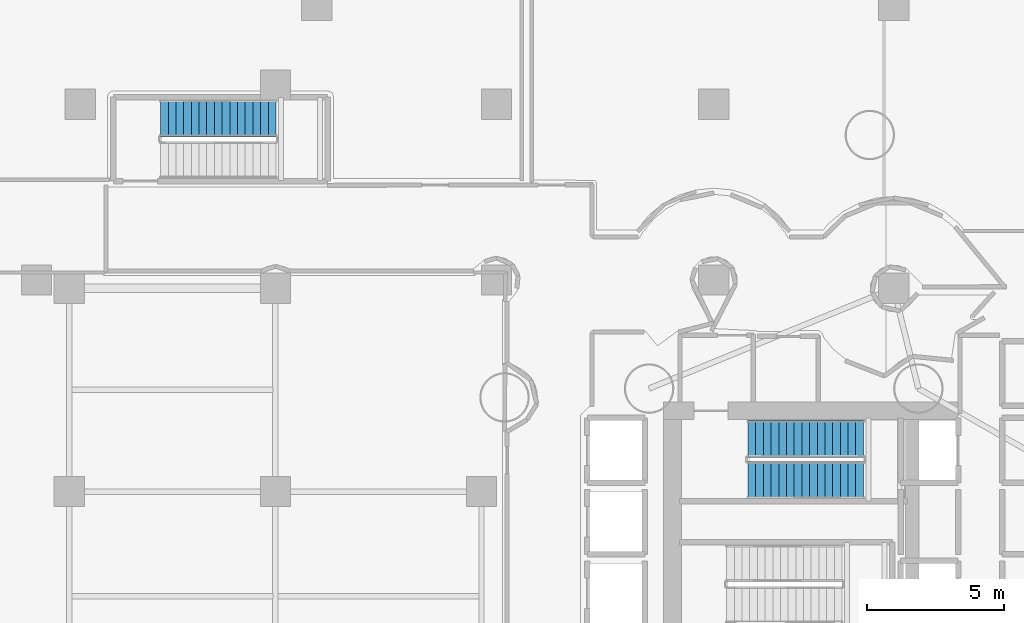
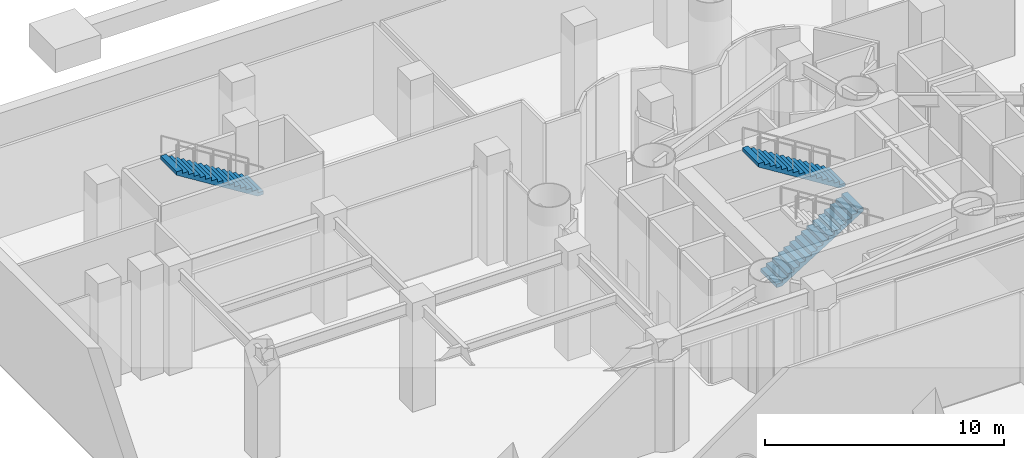
# One storey, part 7 of 11: 3 stair flights, 2 elements without a shape of their own.
"""IFC4 building model written with IfcOpenShell, lengths in metres."""

import ifcopenshell
import ifcopenshell.guid

model = None  # the IFC model being written
_history = None  # IfcOwnerHistory: only IFC2X3 demands one
_inside = {}  # id of a spatial element -> (the spatial element, [elements in it])
_under = {}  # id of a project, library or spatial element -> (it, [spatial elements below it])
_declared = {}  # id of a project -> (the project, [libraries it declares])
_typed = {}  # id of a type object -> (the type object, [elements of that type])
_made_of = {}  # id of a material, layer set ... -> (it, [elements and type objects made of it])


def new_model(schema):
    """Start an empty IFC model of exactly this schema.

    Asked for "IFC4X3", IfcOpenShell would pick the latest addendum, in which some entities
    have other attributes; the version numbers below select the first issue.
    IFC2X3 requires an IfcOwnerHistory on every rooted entity: one is made here for all.
    """
    global model, _history
    if schema == "IFC4X3":
        model = ifcopenshell.file(schema_version=(4, 3, 0, 0))
    else:
        model = ifcopenshell.file(schema=schema)
    _inside.clear()
    _under.clear()
    _declared.clear()
    _typed.clear()
    _made_of.clear()
    _history = None
    if model.schema == "IFC2X3":
        org = make("IfcOrganization", Name="unknown")
        user = make(
            "IfcPersonAndOrganization",
            ThePerson=make("IfcPerson", FamilyName="unknown"),
            TheOrganization=org,
        )
        app = make(
            "IfcApplication",
            ApplicationDeveloper=org,
            Version="unknown",
            ApplicationFullName="unknown",
            ApplicationIdentifier="unknown",
        )
        _history = make(
            "IfcOwnerHistory",
            OwningUser=user,
            OwningApplication=app,
            ChangeAction="ADDED",
            CreationDate=0,
        )
    return model


def make(cls, **values):
    """One entity of the class cls with the attributes given. An attribute that is None is left unset."""
    return model.create_entity(
        cls, **{name: value for name, value in values.items() if value is not None}
    )


def rooted(cls, **values):
    """An entity with a GlobalId (a new one), such as an element, a storey or a relation."""
    return make(cls, GlobalId=ifcopenshell.guid.new(), OwnerHistory=_history, **values)


def si_unit(unit_type, name, prefix=None):
    """IfcSIUnit, for example si_unit("LENGTHUNIT", "METRE", prefix="MILLI")."""
    return make("IfcSIUnit", UnitType=unit_type, Prefix=prefix, Name=name)


def assignment(units):
    """IfcUnitAssignment: the units of a project."""
    return None if units is None else make("IfcUnitAssignment", Units=units)


def point(xyz):
    """IfcCartesianPoint."""
    return None if xyz is None else make("IfcCartesianPoint", Coordinates=xyz)


def direction(xyz):
    """IfcDirection."""
    return None if xyz is None else make("IfcDirection", DirectionRatios=xyz)


def frame(location, z_axis=None, x_axis=None):
    """IfcAxis2Placement3D, a coordinate frame: its origin and axes. An axis left out is left unset."""
    return make(
        "IfcAxis2Placement3D",
        Location=point(location),
        Axis=direction(z_axis),
        RefDirection=direction(x_axis),
    )


def origin():
    """The frame at (0, 0, 0) with its axes left unset."""
    return frame((0.0, 0.0, 0.0))


def place(relative_to, where):
    """IfcLocalPlacement: puts the frame where relative to a parent placement (None: the world)."""
    return make(
        "IfcLocalPlacement", PlacementRelTo=relative_to, RelativePlacement=where
    )


def context(
    kind, dimensions, precision=None, world=None, true_north=None, identifier=None
):
    """IfcGeometricRepresentationContext, for example the 3D "Model" context."""
    return make(
        "IfcGeometricRepresentationContext",
        ContextIdentifier=identifier,
        ContextType=kind,
        CoordinateSpaceDimension=dimensions,
        Precision=precision,
        WorldCoordinateSystem=world,
        TrueNorth=true_north,
    )


def subcontext(parent, identifier, kind, view, scale=None):
    """IfcGeometricRepresentationSubContext, for example "Body" below "Model"."""
    return make(
        "IfcGeometricRepresentationSubContext",
        ContextIdentifier=identifier,
        ContextType=kind,
        ParentContext=parent,
        TargetScale=scale,
        TargetView=view,
    )


def project(units=None, contexts=None):
    """IfcProject with its units and contexts."""
    return rooted(
        "IfcProject",
        Name="project",
        RepresentationContexts=contexts,
        UnitsInContext=assignment(units),
    )


def spatial(cls, under=None, at=None, **own):
    """A site, building, storey or space (cls), placed at a placement, below another one or the project."""
    s = rooted(cls, ObjectPlacement=at, **own)
    if under is not None:
        _under.setdefault(under.id(), (under, []))[1].append(s)
    return s


def polyline(points):
    """IfcPolyline through the points."""
    return make("IfcPolyline", Points=[point(p) for p in points])


def outline(outer, holes=None, kind="AREA"):
    """IfcArbitraryClosedProfileDef: a profile drawn as a closed curve; with holes, ...WithVoids."""
    if holes is None:
        return make("IfcArbitraryClosedProfileDef", ProfileType=kind, OuterCurve=outer)
    return make(
        "IfcArbitraryProfileDefWithVoids",
        ProfileType=kind,
        OuterCurve=outer,
        InnerCurves=holes,
    )


def extrude(swept, where, along, depth):
    """IfcExtrudedAreaSolid: the profile swept, set in the frame where, extruded along a direction by depth."""
    return make(
        "IfcExtrudedAreaSolid",
        SweptArea=swept,
        Position=where,
        ExtrudedDirection=direction(along),
        Depth=depth,
    )


def shape(context_of_items, identifier, shape_type, items):
    """IfcShapeRepresentation: the items that make up one representation, for example the "Body"."""
    return make(
        "IfcShapeRepresentation",
        ContextOfItems=context_of_items,
        RepresentationIdentifier=identifier,
        RepresentationType=shape_type,
        Items=items,
    )


def material(Name=None, Category=None):
    """IfcMaterial."""
    return make("IfcMaterial", Name=Name, Category=Category)


def made_of(thing, what):
    """Note that an element or type object is made of a material, layer set ...; save() writes the relation."""
    if what is not None:
        _made_of.setdefault(what.id(), (what, []))[1].append(thing)
    return thing


def type_object(cls, material=None, **own):
    """A type object (cls), such as IfcWallType, which elements share."""
    return made_of(rooted(cls, **own), material)


def element(
    cls,
    number,
    at=None,
    inside=None,
    cuts=None,
    type_object=None,
    material=None,
    context=None,
    identifier="Body",
    shape_type=None,
    held_by="IfcProductDefinitionShape",
    body=None,
    shapes=None,
    **own,
):
    """One element of the class cls, such as IfcWall. Its Tag is "e" and its number.

    at: its placement. inside: the storey or other place that contains it. cuts: it is an
    opening in that element (IfcRelVoidsElement). A single representation is given by context,
    identifier, shape_type and body (its items); several are given by shapes. held_by: the class
    of the entity that holds the representations. save() writes the other relations.
    """
    e = rooted(cls, Tag="e%d" % number, ObjectPlacement=at, **own)
    if body is not None:
        shapes = [shape(context, identifier, shape_type, body)]
    if shapes is not None:
        e.Representation = make(held_by, Representations=shapes)
    if inside is not None:
        _inside.setdefault(inside.id(), (inside, []))[1].append(e)
    if cuts is not None:
        rooted(
            "IfcRelVoidsElement", RelatingBuildingElement=cuts, RelatedOpeningElement=e
        )
    if type_object is not None:
        _typed.setdefault(type_object.id(), (type_object, []))[1].append(e)
    return made_of(e, material)


def aggregate(whole, parts):
    """IfcRelAggregates: a whole, such as a stair, and the parts it consists of."""
    return rooted("IfcRelAggregates", RelatingObject=whole, RelatedObjects=parts)


def save(model, path):
    """Write the relations noted so far, then the file.

    IfcRelAggregates (storeys below a building ...), IfcRelContainedInSpatialStructure (elements
    in a storey), IfcRelDefinesByType, IfcRelAssociatesMaterial and IfcRelDeclares: one each for
    every whole, place, type object, material and project.
    """
    for whole, parts in _under.values():
        aggregate(whole, parts)
    for where, things in _inside.values():
        rooted(
            "IfcRelContainedInSpatialStructure",
            RelatedElements=things,
            RelatingStructure=where,
        )
    for kind, things in _typed.values():
        rooted("IfcRelDefinesByType", RelatedObjects=things, RelatingType=kind)
    for what, things in _made_of.values():
        rooted("IfcRelAssociatesMaterial", RelatedObjects=things, RelatingMaterial=what)
    for by, libraries in _declared.values():
        rooted("IfcRelDeclares", RelatingContext=by, RelatedDefinitions=libraries)
    model.write(path)


model = new_model("IFC4")

# Units and contexts
model_context = context("Model", 3, precision=1e-05, world=origin(), true_north=direction((0.0, 1.0)))
body_context = subcontext(model_context, "Body", "Model", "MODEL_VIEW")
ifc_project = project(units=[si_unit("LENGTHUNIT", "METRE"), si_unit("AREAUNIT", "SQUARE_METRE"), si_unit("VOLUMEUNIT", "CUBIC_METRE"), si_unit("PLANEANGLEUNIT", "RADIAN"), si_unit("MASSUNIT", "GRAM", prefix="KILO")], contexts=[model_context])

# Site, building, storey
site_placement = place(None, origin())
site = spatial("IfcSite", under=ifc_project, at=site_placement, CompositionType="ELEMENT")
building_placement = place(site_placement, origin())
building = spatial("IfcBuilding", under=site, at=building_placement, Name="Qianvela Tower", CompositionType="ELEMENT")
storey_placement = place(building_placement, frame((0.0, 0.0, -5.60009765625)))
storey = spatial("IfcBuildingStorey", under=building, at=storey_placement, Name="B01", CompositionType="ELEMENT", Elevation=-5.60009765625)

# Stair, stair flights
ifc_material_1 = material(Name="Concrete C40", Category="concrete")
stair_type = type_object("IfcStairType", Name="ST-DOGLEG-1350-R175-N32", PredefinedType="HALF_TURN_STAIR", material=ifc_material_1)
stair_1_placement = place(storey_placement, origin())
stair_1 = element("IfcStair", 1, at=stair_1_placement, inside=storey, type_object=stair_type, Name="B01 Smoke-Proof Core Stair ST-1", PredefinedType="HALF_TURN_STAIR")
ifc_material_2 = material(Name="Concrete C40", Category="concrete")
stair_flight_type = type_object("IfcStairFlightType", Name="STF-STRAIGHT-R175-P16", PredefinedType="STRAIGHT", material=ifc_material_2)
stair_flight_1_placement = place(storey_placement, frame((32.199951171875, 30.215087890625, 0.0), z_axis=(0.0, 0.0, 1.0), x_axis=(1.0, 0.0, 0.0)))
stair_flight_1 = element("IfcStairFlight", 2, at=stair_flight_1_placement, type_object=stair_flight_type, Name="ST-1 flight 1", NumberOfRisers=16, NumberOfTreads=15, PredefinedType="STRAIGHT", RiserHeight=0.175, TreadLength=0.28, context=body_context, shape_type="SweptSolid", body=[
    extrude(outline(polyline([(0.0, 0.0), (0.0, 0.175048828125), (0.280029296875, 0.175048828125), (0.280029296875, 0.35009765625), (0.56005859375, 0.35009765625), (0.56005859375, 0.52490234375), (0.840087890625, 0.52490234375), (0.840087890625, 0.699951171875), (1.1201171875, 0.699951171875), (1.1201171875, 0.875), (1.39990234375, 0.875), (1.39990234375, 1.050048828125), (1.679931640625, 1.050048828125), (1.679931640625, 1.22509765625), (1.9599609375, 1.22509765625), (1.9599609375, 1.39990234375), (2.239990234375, 1.39990234375), (2.239990234375, 1.574951171875), (2.52001953125, 1.574951171875), (2.52001953125, 1.75), (2.800048828125, 1.75), (2.800048828125, 1.925048828125), (3.080078125, 1.925048828125), (3.080078125, 2.10009765625), (3.360107421875, 2.10009765625), (3.360107421875, 2.27490234375), (3.639892578125, 2.27490234375), (3.639892578125, 2.449951171875), (3.919921875, 2.449951171875), (3.919921875, 2.625), (4.199951171875, 2.625), (4.199951171875, 2.800048828125), (4.199951171875, 2.4482421875), (0.28271484375, 0.0), (0.0, 0.0)])), frame((0.0, 0.675048828125, 0.0), z_axis=(0.0, -1.0, 0.0), x_axis=(1.0, 0.0, 0.0)), (0.0, 0.0, 1.0), 1.35009765625),
])
stair_flight_2_placement = place(storey_placement, frame((36.39990234375, 31.72509765625, 2.800048828125), z_axis=(0.0, 0.0, 1.0), x_axis=(-1.0, 0.0, 0.0)))
stair_flight_2 = element("IfcStairFlight", 3, at=stair_flight_2_placement, type_object=stair_flight_type, Name="ST-1 flight 2", NumberOfRisers=16, NumberOfTreads=15, PredefinedType="STRAIGHT", RiserHeight=0.175, TreadLength=0.28, context=body_context, shape_type="SweptSolid", body=[
    extrude(outline(polyline([(0.0, 0.0), (0.0, 0.175048828125), (0.280029296875, 0.175048828125), (0.280029296875, 0.35009765625), (0.56005859375, 0.35009765625), (0.56005859375, 0.52490234375), (0.840087890625, 0.52490234375), (0.840087890625, 0.699951171875), (1.1201171875, 0.699951171875), (1.1201171875, 0.875), (1.39990234375, 0.875), (1.39990234375, 1.050048828125), (1.679931640625, 1.050048828125), (1.679931640625, 1.22509765625), (1.9599609375, 1.22509765625), (1.9599609375, 1.39990234375), (2.239990234375, 1.39990234375), (2.239990234375, 1.574951171875), (2.52001953125, 1.574951171875), (2.52001953125, 1.75), (2.800048828125, 1.75), (2.800048828125, 1.925048828125), (3.080078125, 1.925048828125), (3.080078125, 2.10009765625), (3.360107421875, 2.10009765625), (3.360107421875, 2.27490234375), (3.639892578125, 2.27490234375), (3.639892578125, 2.449951171875), (3.919921875, 2.449951171875), (3.919921875, 2.625), (4.199951171875, 2.625), (4.199951171875, 2.800048828125), (4.199951171875, 2.4482421875), (0.28271484375, 0.0), (0.0, 0.0)])), frame((0.0, 0.675048828125, 0.0), z_axis=(0.0, -1.0, 0.0), x_axis=(1.0, 0.0, 0.0)), (0.0, 0.0, 1.0), 1.35009765625),
])
aggregate(stair_1, [stair_flight_1, stair_flight_2])

# Stair, stair flight
stair_2_placement = place(storey_placement, origin())
stair_2 = element("IfcStair", 4, at=stair_2_placement, inside=storey, type_object=stair_type, Name="B01 Smoke-Proof Core Stair ST-3", PredefinedType="HALF_TURN_STAIR")
stair_flight_3_placement = place(storey_placement, frame((15.02001953125, 43.385009765625, 2.800048828125), z_axis=(0.0, 0.0, 1.0), x_axis=(-1.0, 0.0, 0.0)))
stair_flight_3 = element("IfcStairFlight", 5, at=stair_flight_3_placement, type_object=stair_flight_type, Name="ST-3 flight 2", NumberOfRisers=16, NumberOfTreads=15, PredefinedType="STRAIGHT", RiserHeight=0.175, TreadLength=0.28, context=body_context, shape_type="SweptSolid", body=[
    extrude(outline(polyline([(0.0, 0.0), (0.0, 0.175048828125), (0.280029296875, 0.175048828125), (0.280029296875, 0.35009765625), (0.56005859375, 0.35009765625), (0.56005859375, 0.52490234375), (0.840087890625, 0.52490234375), (0.840087890625, 0.699951171875), (1.1201171875, 0.699951171875), (1.1201171875, 0.875), (1.39990234375, 0.875), (1.39990234375, 1.050048828125), (1.679931640625, 1.050048828125), (1.679931640625, 1.22509765625), (1.9599609375, 1.22509765625), (1.9599609375, 1.39990234375), (2.239990234375, 1.39990234375), (2.239990234375, 1.574951171875), (2.52001953125, 1.574951171875), (2.52001953125, 1.75), (2.800048828125, 1.75), (2.800048828125, 1.925048828125), (3.080078125, 1.925048828125), (3.080078125, 2.10009765625), (3.360107421875, 2.10009765625), (3.360107421875, 2.27490234375), (3.639892578125, 2.27490234375), (3.639892578125, 2.449951171875), (3.919921875, 2.449951171875), (3.919921875, 2.625), (4.199951171875, 2.625), (4.199951171875, 2.800048828125), (4.199951171875, 2.4482421875), (0.28271484375, 0.0), (0.0, 0.0)])), frame((0.0, 0.675048828125, 0.0), z_axis=(0.0, -1.0, 0.0), x_axis=(1.0, 0.0, 0.0)), (0.0, 0.0, 1.0), 1.35009765625),
])
aggregate(stair_2, [stair_flight_3])

save(model, "model.ifc")
